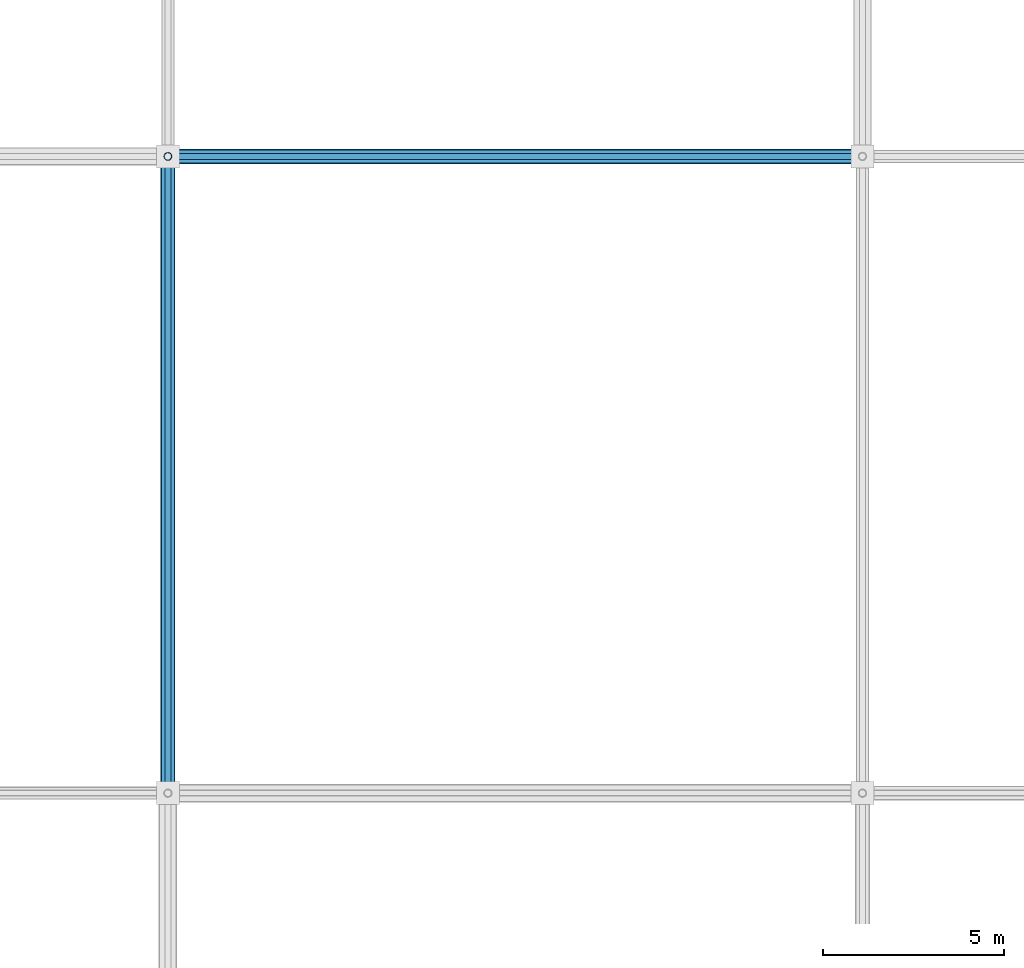
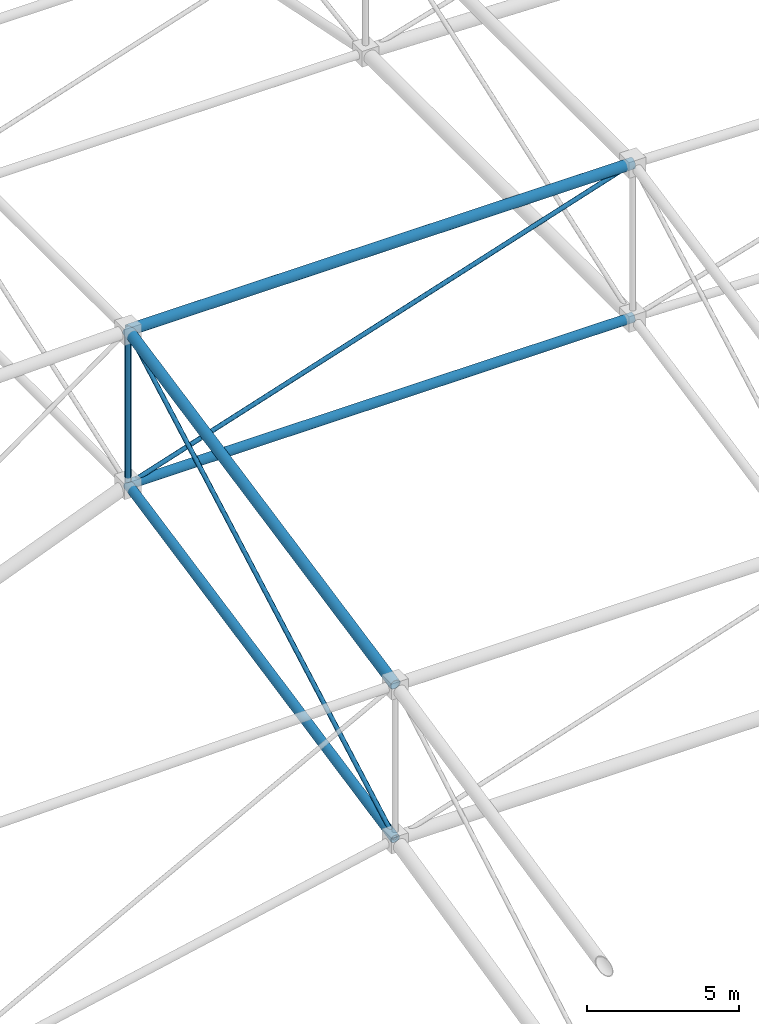
# One storey, part 52 of 193: 7 members.
"""IFC4 building model written with IfcOpenShell, lengths in metres."""

import ifcopenshell
import ifcopenshell.guid

model = None  # the IFC model being written
_history = None  # IfcOwnerHistory: only IFC2X3 demands one
_inside = {}  # id of a spatial element -> (the spatial element, [elements in it])
_under = {}  # id of a project, library or spatial element -> (it, [spatial elements below it])
_declared = {}  # id of a project -> (the project, [libraries it declares])
_typed = {}  # id of a type object -> (the type object, [elements of that type])
_made_of = {}  # id of a material, layer set ... -> (it, [elements and type objects made of it])


def new_model(schema):
    """Start an empty IFC model of exactly this schema.

    Asked for "IFC4X3", IfcOpenShell would pick the latest addendum, in which some entities
    have other attributes; the version numbers below select the first issue.
    IFC2X3 requires an IfcOwnerHistory on every rooted entity: one is made here for all.
    """
    global model, _history
    if schema == "IFC4X3":
        model = ifcopenshell.file(schema_version=(4, 3, 0, 0))
    else:
        model = ifcopenshell.file(schema=schema)
    _inside.clear()
    _under.clear()
    _declared.clear()
    _typed.clear()
    _made_of.clear()
    _history = None
    if model.schema == "IFC2X3":
        org = make("IfcOrganization", Name="unknown")
        user = make(
            "IfcPersonAndOrganization",
            ThePerson=make("IfcPerson", FamilyName="unknown"),
            TheOrganization=org,
        )
        app = make(
            "IfcApplication",
            ApplicationDeveloper=org,
            Version="unknown",
            ApplicationFullName="unknown",
            ApplicationIdentifier="unknown",
        )
        _history = make(
            "IfcOwnerHistory",
            OwningUser=user,
            OwningApplication=app,
            ChangeAction="ADDED",
            CreationDate=0,
        )
    return model


def make(cls, **values):
    """One entity of the class cls with the attributes given. An attribute that is None is left unset."""
    return model.create_entity(
        cls, **{name: value for name, value in values.items() if value is not None}
    )


def rooted(cls, **values):
    """An entity with a GlobalId (a new one), such as an element, a storey or a relation."""
    return make(cls, GlobalId=ifcopenshell.guid.new(), OwnerHistory=_history, **values)


def si_unit(unit_type, name, prefix=None):
    """IfcSIUnit, for example si_unit("LENGTHUNIT", "METRE", prefix="MILLI")."""
    return make("IfcSIUnit", UnitType=unit_type, Prefix=prefix, Name=name)


def assignment(units):
    """IfcUnitAssignment: the units of a project."""
    return None if units is None else make("IfcUnitAssignment", Units=units)


def point(xyz):
    """IfcCartesianPoint."""
    return None if xyz is None else make("IfcCartesianPoint", Coordinates=xyz)


def direction(xyz):
    """IfcDirection."""
    return None if xyz is None else make("IfcDirection", DirectionRatios=xyz)


def frame(location, z_axis=None, x_axis=None):
    """IfcAxis2Placement3D, a coordinate frame: its origin and axes. An axis left out is left unset."""
    return make(
        "IfcAxis2Placement3D",
        Location=point(location),
        Axis=direction(z_axis),
        RefDirection=direction(x_axis),
    )


def frame_2d(location, x_axis=None):
    """IfcAxis2Placement2D, a coordinate frame in the plane: its origin and x axis."""
    return make(
        "IfcAxis2Placement2D", Location=point(location), RefDirection=direction(x_axis)
    )


def origin():
    """The frame at (0, 0, 0) with its axes left unset."""
    return frame((0.0, 0.0, 0.0))


def origin_2d():
    """The frame at (0, 0) in the plane with its x axis left unset."""
    return frame_2d((0.0, 0.0))


def place(relative_to, where):
    """IfcLocalPlacement: puts the frame where relative to a parent placement (None: the world)."""
    return make(
        "IfcLocalPlacement", PlacementRelTo=relative_to, RelativePlacement=where
    )


def context(
    kind, dimensions, precision=None, world=None, true_north=None, identifier=None
):
    """IfcGeometricRepresentationContext, for example the 3D "Model" context."""
    return make(
        "IfcGeometricRepresentationContext",
        ContextIdentifier=identifier,
        ContextType=kind,
        CoordinateSpaceDimension=dimensions,
        Precision=precision,
        WorldCoordinateSystem=world,
        TrueNorth=true_north,
    )


def subcontext(parent, identifier, kind, view, scale=None):
    """IfcGeometricRepresentationSubContext, for example "Body" below "Model"."""
    return make(
        "IfcGeometricRepresentationSubContext",
        ContextIdentifier=identifier,
        ContextType=kind,
        ParentContext=parent,
        TargetScale=scale,
        TargetView=view,
    )


def project(units=None, contexts=None):
    """IfcProject with its units and contexts."""
    return rooted(
        "IfcProject",
        Name="project",
        RepresentationContexts=contexts,
        UnitsInContext=assignment(units),
    )


def spatial(cls, under=None, at=None, **own):
    """A site, building, storey or space (cls), placed at a placement, below another one or the project."""
    s = rooted(cls, ObjectPlacement=at, **own)
    if under is not None:
        _under.setdefault(under.id(), (under, []))[1].append(s)
    return s


def profile(cls, at=None, kind="AREA", **sizes):
    """A parametric profile (cls). Its sizes go by their IFC names, for example OverallWidth=200.0."""
    return make(cls, ProfileType=kind, Position=at, **sizes)


def hollow_circle(**sizes):
    """IfcCircleHollowProfileDef."""
    return profile("IfcCircleHollowProfileDef", **sizes)


def extrude(swept, where, along, depth):
    """IfcExtrudedAreaSolid: the profile swept, set in the frame where, extruded along a direction by depth."""
    return make(
        "IfcExtrudedAreaSolid",
        SweptArea=swept,
        Position=where,
        ExtrudedDirection=direction(along),
        Depth=depth,
    )


def shape(context_of_items, identifier, shape_type, items):
    """IfcShapeRepresentation: the items that make up one representation, for example the "Body"."""
    return make(
        "IfcShapeRepresentation",
        ContextOfItems=context_of_items,
        RepresentationIdentifier=identifier,
        RepresentationType=shape_type,
        Items=items,
    )


def material(Name=None, Category=None):
    """IfcMaterial."""
    return make("IfcMaterial", Name=Name, Category=Category)


def material_profile(
    of_material, cross_section, Name=None, Category=None, Priority=None
):
    """IfcMaterialProfile: a cross section and its material."""
    return make(
        "IfcMaterialProfile",
        Name=Name,
        Material=of_material,
        Profile=cross_section,
        Priority=Priority,
        Category=Category,
    )


def profile_set(profiles, Name=None, composite=None):
    """IfcMaterialProfileSet."""
    return make(
        "IfcMaterialProfileSet",
        Name=Name,
        MaterialProfiles=profiles,
        CompositeProfile=composite,
    )


def made_of(thing, what):
    """Note that an element or type object is made of a material, layer set ...; save() writes the relation."""
    if what is not None:
        _made_of.setdefault(what.id(), (what, []))[1].append(thing)
    return thing


def type_object(cls, material=None, **own):
    """A type object (cls), such as IfcWallType, which elements share."""
    return made_of(rooted(cls, **own), material)


def element(
    cls,
    number,
    at=None,
    inside=None,
    cuts=None,
    type_object=None,
    material=None,
    context=None,
    identifier="Body",
    shape_type=None,
    held_by="IfcProductDefinitionShape",
    body=None,
    shapes=None,
    **own,
):
    """One element of the class cls, such as IfcWall. Its Tag is "e" and its number.

    at: its placement. inside: the storey or other place that contains it. cuts: it is an
    opening in that element (IfcRelVoidsElement). A single representation is given by context,
    identifier, shape_type and body (its items); several are given by shapes. held_by: the class
    of the entity that holds the representations. save() writes the other relations.
    """
    e = rooted(cls, Tag="e%d" % number, ObjectPlacement=at, **own)
    if body is not None:
        shapes = [shape(context, identifier, shape_type, body)]
    if shapes is not None:
        e.Representation = make(held_by, Representations=shapes)
    if inside is not None:
        _inside.setdefault(inside.id(), (inside, []))[1].append(e)
    if cuts is not None:
        rooted(
            "IfcRelVoidsElement", RelatingBuildingElement=cuts, RelatedOpeningElement=e
        )
    if type_object is not None:
        _typed.setdefault(type_object.id(), (type_object, []))[1].append(e)
    return made_of(e, material)


def aggregate(whole, parts):
    """IfcRelAggregates: a whole, such as a stair, and the parts it consists of."""
    return rooted("IfcRelAggregates", RelatingObject=whole, RelatedObjects=parts)


def save(model, path):
    """Write the relations noted so far, then the file.

    IfcRelAggregates (storeys below a building ...), IfcRelContainedInSpatialStructure (elements
    in a storey), IfcRelDefinesByType, IfcRelAssociatesMaterial and IfcRelDeclares: one each for
    every whole, place, type object, material and project.
    """
    for whole, parts in _under.values():
        aggregate(whole, parts)
    for where, things in _inside.values():
        rooted(
            "IfcRelContainedInSpatialStructure",
            RelatedElements=things,
            RelatingStructure=where,
        )
    for kind, things in _typed.values():
        rooted("IfcRelDefinesByType", RelatedObjects=things, RelatingType=kind)
    for what, things in _made_of.values():
        rooted("IfcRelAssociatesMaterial", RelatedObjects=things, RelatingMaterial=what)
    for by, libraries in _declared.values():
        rooted("IfcRelDeclares", RelatingContext=by, RelatedDefinitions=libraries)
    model.write(path)


model = new_model("IFC4")

# Units and contexts
model_context = context("Model", 3, precision=1e-05, world=origin(), true_north=direction((0.0, 1.0)))
body_context = subcontext(model_context, "Body", "Model", "MODEL_VIEW")
ifc_project = project(units=[si_unit("LENGTHUNIT", "METRE"), si_unit("AREAUNIT", "SQUARE_METRE"), si_unit("VOLUMEUNIT", "CUBIC_METRE"), si_unit("PLANEANGLEUNIT", "RADIAN"), si_unit("MASSUNIT", "GRAM", prefix="KILO")], contexts=[model_context])

# Site, building, storey
site_placement = place(None, origin())
site = spatial("IfcSite", under=ifc_project, at=site_placement, CompositionType="ELEMENT")
building_placement = place(site_placement, origin())
building = spatial("IfcBuilding", under=site, at=building_placement, Name="Danafjord Basin Convention Centre", CompositionType="ELEMENT")
storey_placement = place(building_placement, frame((0.0, 0.0, 11.39990234375)))
storey = spatial("IfcBuildingStorey", under=building, at=storey_placement, Name="L02", CompositionType="ELEMENT", Elevation=11.39990234375)

# Members
ifc_material = material(Name="Steel S355", Category="steel")
ifc_material_profile_1 = material_profile(ifc_material, hollow_circle(Radius=0.177734375, WallThickness=0.01611328125, at=origin_2d()), Name="CHS 355.6x16.0")
ifc_profile_set_1 = profile_set([ifc_material_profile_1], Name="Steel S355")
member_type_1 = type_object("IfcMemberType", Name="MEM-CH-CHS355", PredefinedType="CHORD", material=ifc_profile_set_1)
member_1_placement = place(storey_placement, frame((19.199951171875, 73.60009765625, 10.07080078125), z_axis=(0.0, 0.979881323985, 0.19958103844), x_axis=(-1.0, 0.0, 0.0)))
element("IfcMember", 1, at=member_1_placement, inside=storey, type_object=member_type_1, Name="V1 roof truss transverse bottom chord", PredefinedType="CHORD", context=body_context, shape_type="SweptSolid", body=[
    extrude(hollow_circle(Radius=0.177734375, WallThickness=0.01611328125, at=origin_2d()), origin(), (0.0, 0.0, 1.0), 17.961181640625),
])
member_2_placement = place(storey_placement, frame((19.199951171875, 91.199951171875, 13.655517578125), z_axis=(1.0, 0.0, 0.0), x_axis=(0.0, 1.0, 0.0)))
element("IfcMember", 2, at=member_2_placement, inside=storey, type_object=member_type_1, Name="V1 roof truss longitudinal bottom chord", PredefinedType="CHORD", context=body_context, shape_type="SweptSolid", body=[
    extrude(hollow_circle(Radius=0.177734375, WallThickness=0.01611328125, at=origin_2d()), origin(), (0.0, 0.0, 1.0), 19.199951171875),
])
ifc_material_profile_2 = material_profile(ifc_material, hollow_circle(Radius=0.203125, WallThickness=0.02001953125, at=origin_2d()), Name="CHS 406.4x20.0")
ifc_profile_set_2 = profile_set([ifc_material_profile_2], Name="Steel S355")
member_type_2 = type_object("IfcMemberType", Name="MEM-CH-CHS406", PredefinedType="CHORD", material=ifc_profile_set_2)
member_3_placement = place(storey_placement, frame((19.199951171875, 73.60009765625, 16.27099609375), z_axis=(0.0, 0.979883982164, 0.199567987157), x_axis=(-1.0, 0.0, 0.0)))
element("IfcMember", 3, at=member_3_placement, inside=storey, type_object=member_type_2, Name="V1 roof truss transverse top chord", PredefinedType="CHORD", context=body_context, shape_type="SweptSolid", body=[
    extrude(hollow_circle(Radius=0.203125, WallThickness=0.02001953125, at=origin_2d()), origin(), (0.0, 0.0, 1.0), 17.961181640625),
])
member_4_placement = place(storey_placement, frame((19.199951171875, 91.199951171875, 19.85546875), z_axis=(1.0, 0.0, 0.0), x_axis=(0.0, 1.0, 0.0)))
element("IfcMember", 4, at=member_4_placement, inside=storey, type_object=member_type_2, Name="V1 roof truss longitudinal top chord", PredefinedType="CHORD", context=body_context, shape_type="SweptSolid", body=[
    extrude(hollow_circle(Radius=0.203125, WallThickness=0.02001953125, at=origin_2d()), origin(), (0.0, 0.0, 1.0), 19.199951171875),
])
ifc_material_profile_3 = material_profile(ifc_material, hollow_circle(Radius=0.109619140625, WallThickness=0.010009765625, at=origin_2d()), Name="CHS 219.1x10.0")
ifc_profile_set_3 = profile_set([ifc_material_profile_3], Name="Steel S355")
member_type_3 = type_object("IfcMemberType", Name="MEM-ST-CHS219", PredefinedType="STRUT", material=ifc_profile_set_3)
member_5_placement = place(storey_placement, frame((19.199951171875, 91.199951171875, 13.655517578125), z_axis=(0.0, 0.0, 1.0), x_axis=(1.0, 0.0, 0.0)))
element("IfcMember", 5, at=member_5_placement, inside=storey, type_object=member_type_3, Name="V1 roof truss vertical strut", PredefinedType="STRUT", context=body_context, shape_type="SweptSolid", body=[
    extrude(hollow_circle(Radius=0.109619140625, WallThickness=0.010009765625, at=origin_2d()), origin(), (0.0, 0.0, 1.0), 6.199951171875),
])
ifc_material_profile_4 = material_profile(ifc_material, hollow_circle(Radius=0.084228515625, WallThickness=0.008056640625, at=origin_2d()), Name="CHS 168.3x8.0")
ifc_profile_set_4 = profile_set([ifc_material_profile_4], Name="Steel S355")
member_type_4 = type_object("IfcMemberType", Name="MEM-WB-CHS168", PredefinedType="MEMBER", material=ifc_profile_set_4)
member_6_placement = place(storey_placement, frame((19.199951171875, 73.60009765625, 10.07080078125), z_axis=(0.0, 0.874010260641, 0.485907464744), x_axis=(-1.0, 0.0, 0.0)))
element("IfcMember", 6, at=member_6_placement, inside=storey, type_object=member_type_4, Name="V1 space-frame transverse web", PredefinedType="MEMBER", context=body_context, shape_type="SweptSolid", body=[
    extrude(hollow_circle(Radius=0.084228515625, WallThickness=0.008056640625, at=origin_2d()), origin(), (0.0, 0.0, 1.0), 20.136962890625),
])
member_7_placement = place(storey_placement, frame((19.199951171875, 91.199951171875, 13.655517578125), z_axis=(0.951615625356, 0.0, 0.307290907086), x_axis=(0.0, 1.0, 0.0)))
element("IfcMember", 7, at=member_7_placement, inside=storey, type_object=member_type_4, Name="V1 space-frame longitudinal web", PredefinedType="MEMBER", context=body_context, shape_type="SweptSolid", body=[
    extrude(hollow_circle(Radius=0.084228515625, WallThickness=0.008056640625, at=origin_2d()), origin(), (0.0, 0.0, 1.0), 20.17626953125),
])

save(model, "model.ifc")
